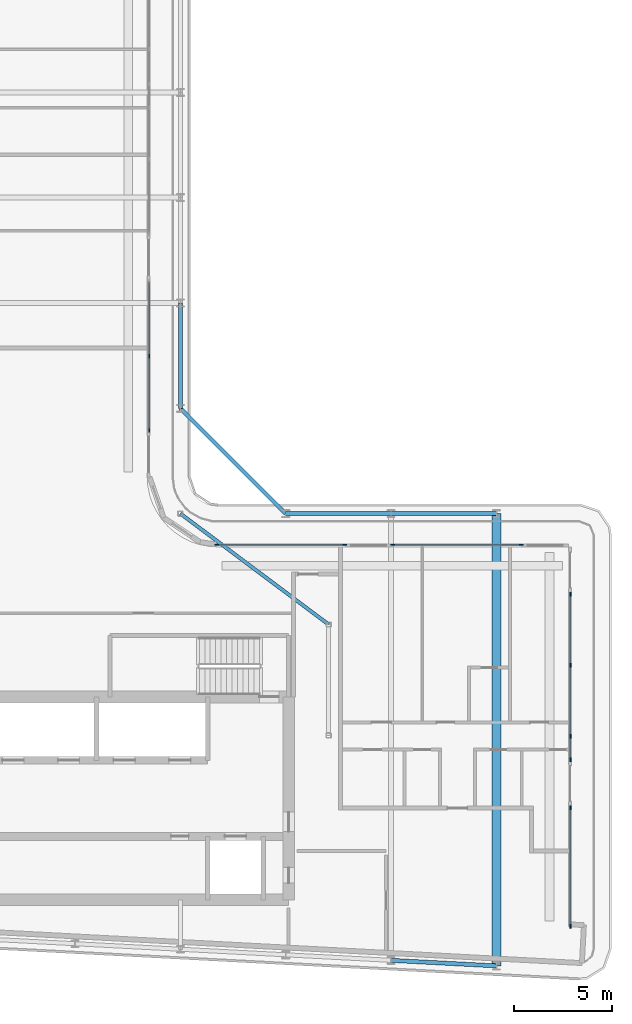
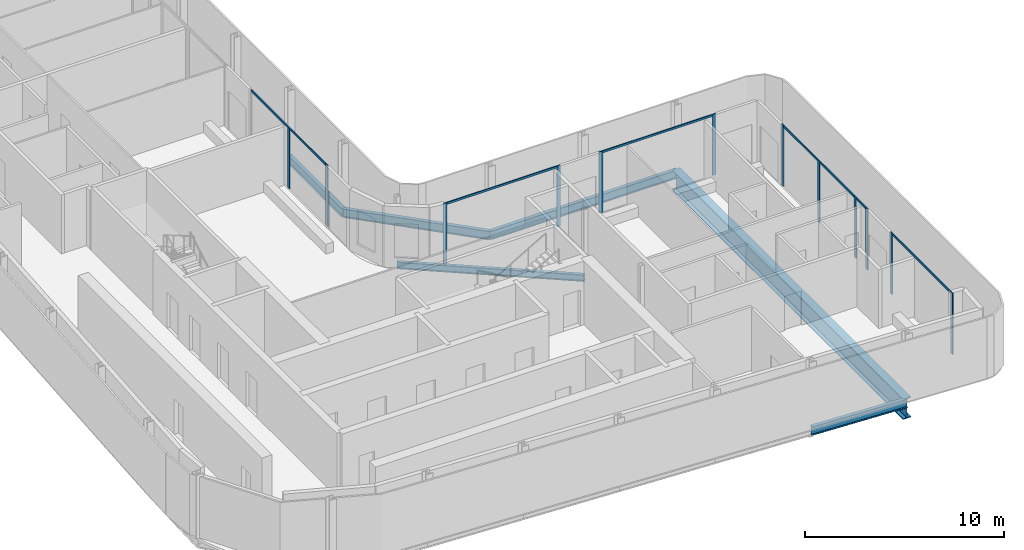
# One storey, part 6 of 21: 18 members, 7 beams, 6 elements without a shape of their own.
"""IFC4 building model written with IfcOpenShell, lengths in metres."""

from ifc_helpers import new_model, si_unit, direction, frame, origin, origin_2d, place, context, subcontext, project, spatial, rectangle, i_section, extrude, material, layer, layer_set, material_profile, profile_set, type_object, element, aggregate, save


model = new_model("IFC4")

# Units and contexts
model_context = context("Model", 3, precision=1e-05, world=origin(), true_north=direction((0.0, 1.0)))
body_context = subcontext(model_context, "Body", "Model", "MODEL_VIEW")
ifc_project = project(units=[si_unit("LENGTHUNIT", "METRE"), si_unit("AREAUNIT", "SQUARE_METRE"), si_unit("VOLUMEUNIT", "CUBIC_METRE"), si_unit("PLANEANGLEUNIT", "RADIAN"), si_unit("MASSUNIT", "GRAM", prefix="KILO")], contexts=[model_context])

# Site, building, storey
site_placement = place(None, origin())
site = spatial("IfcSite", under=ifc_project, at=site_placement, CompositionType="ELEMENT")
building_placement = place(site_placement, origin())
building = spatial("IfcBuilding", under=site, at=building_placement, Name="Kheshtan School and Residences Tower", CompositionType="ELEMENT")
storey_placement = place(building_placement, frame((0.0, 0.0, 294.199951171875)))
storey = spatial("IfcBuildingStorey", under=building, at=storey_placement, Name="L69", CompositionType="ELEMENT", Elevation=294.199951171875)

# Beams
ifc_material_1 = material(Name="Steel ASTM A992 Grade 50", Category="steel")
ifc_material_profile_1 = material_profile(ifc_material_1, i_section(OverallWidth=0.180908203125, OverallDepth=0.4169921875, WebThickness=0.010986328125, FlangeThickness=0.018310546875, FilletRadius=0.012451171875, at=origin_2d()), Name="W410x85")
ifc_profile_set_1 = profile_set([ifc_material_profile_1], Name="Steel ASTM A992 Grade 50")
beam_type_1 = type_object("IfcBeamType", Name="Beam FB3 W410x85 ASTM A992 Grade 50", PredefinedType="BEAM", material=ifc_profile_set_1)
beam_1_placement = place(storey_placement, frame((47.60009765625, 45.60009765625, -0.3583984375), z_axis=(0.800798828004, -0.598933416222, 0.0), x_axis=(0.598933416222, 0.800798828004, 0.0)))
element("IfcBeam", 1, at=beam_1_placement, inside=storey, type_object=beam_type_1, Name="Floor beam IC", PredefinedType="BEAM", context=body_context, shape_type="SweptSolid", body=[
    extrude(i_section(OverallWidth=0.180908203125, OverallDepth=0.4169921875, WebThickness=0.010986328125, FlangeThickness=0.018310546875, FilletRadius=0.012451171875, at=origin_2d()), origin(), (0.0, 0.0, 1.0), 9.490234375),
])
ifc_material_profile_2 = material_profile(ifc_material_1, i_section(OverallWidth=0.208984375, OverallDepth=0.532958984375, WebThickness=0.01025390625, FlangeThickness=0.015625, FilletRadius=0.013916015625, at=origin_2d()), Name="W530x92")
ifc_profile_set_2 = profile_set([ifc_material_profile_2], Name="Steel ASTM A992 Grade 50")
beam_type_2 = type_object("IfcBeamType", Name="Beam SP3 W530x92 ASTM A992 Grade 50", PredefinedType="BEAM", material=ifc_profile_set_2)
beam_2_placement = place(storey_placement, frame((47.60009765625, 56.39990234375, -0.41650390625), z_axis=(0.0, -1.0, 0.0), x_axis=(1.0, 0.0, 0.0)))
element("IfcBeam", 2, at=beam_2_placement, inside=storey, type_object=beam_type_2, Name="Spandrel beam C081-C079", PredefinedType="BEAM", context=body_context, shape_type="SweptSolid", body=[
    extrude(i_section(OverallWidth=0.208984375, OverallDepth=0.532958984375, WebThickness=0.01025390625, FlangeThickness=0.015625, FilletRadius=0.013916015625, at=origin_2d()), origin(), (0.0, 0.0, 1.0), 5.39990234375),
])
beam_3_placement = place(storey_placement, frame((47.60009765625, 51.0, -0.41650390625), z_axis=(0.707106781187, -0.707106781187, 0.0), x_axis=(0.707106781187, 0.707106781187, 0.0)))
element("IfcBeam", 3, at=beam_3_placement, inside=storey, type_object=beam_type_2, Name="Spandrel beam C079-C061", PredefinedType="BEAM", context=body_context, shape_type="SweptSolid", body=[
    extrude(i_section(OverallWidth=0.208984375, OverallDepth=0.532958984375, WebThickness=0.01025390625, FlangeThickness=0.015625, FilletRadius=0.013916015625, at=origin_2d()), origin(), (0.0, 0.0, 1.0), 7.63671875),
])
beam_4_placement = place(storey_placement, frame((53.0, 45.60009765625, -0.41650390625), z_axis=(1.0, 0.0, 0.0), x_axis=(0.0, 1.0, 0.0)))
element("IfcBeam", 4, at=beam_4_placement, inside=storey, type_object=beam_type_2, Name="Spandrel beam C061-C062", PredefinedType="BEAM", context=body_context, shape_type="SweptSolid", body=[
    extrude(i_section(OverallWidth=0.208984375, OverallDepth=0.532958984375, WebThickness=0.01025390625, FlangeThickness=0.015625, FilletRadius=0.013916015625, at=origin_2d()), origin(), (0.0, 0.0, 1.0), 5.39990234375),
])
beam_5_placement = place(storey_placement, frame((58.39990234375, 45.60009765625, -0.41650390625), z_axis=(1.0, 0.0, 0.0), x_axis=(0.0, 1.0, 0.0)))
element("IfcBeam", 5, at=beam_5_placement, inside=storey, type_object=beam_type_2, Name="Spandrel beam C062-C063", PredefinedType="BEAM", context=body_context, shape_type="SweptSolid", body=[
    extrude(i_section(OverallWidth=0.208984375, OverallDepth=0.532958984375, WebThickness=0.01025390625, FlangeThickness=0.015625, FilletRadius=0.013916015625, at=origin_2d()), origin(), (0.0, 0.0, 1.0), 5.400146484375),
])
beam_6_placement = place(storey_placement, frame((63.800048828125, 22.410888671875, -0.41650390625), z_axis=(-0.998618203458, 0.052551724256, 0.0), x_axis=(-0.052551724256, -0.998618203458, 0.0)))
element("IfcBeam", 6, at=beam_6_placement, inside=storey, type_object=beam_type_2, Name="Spandrel beam C016-C018", PredefinedType="BEAM", context=body_context, shape_type="SweptSolid", body=[
    extrude(i_section(OverallWidth=0.208984375, OverallDepth=0.532958984375, WebThickness=0.01025390625, FlangeThickness=0.015625, FilletRadius=0.013916015625, at=origin_2d()), origin(), (0.0, 0.0, 1.0), 5.40771484375),
])

# Curtain wall, members
ifc_material_2 = material(Name="Clear low-e glass in thermally broken aluminium frame", Category="aluminium")
ifc_layer = layer(ifc_material_2, 0.199951171875)
ifc_layer_set = layer_set([ifc_layer], Name="Curtain wall CW-L")
curtain_wall_type = type_object("IfcCurtainWallType", Name="Curtain wall CW-L", PredefinedType="NOTDEFINED", material=ifc_layer_set)
curtain_wall_1_placement = place(storey_placement, origin())
curtain_wall_1 = element("IfcCurtainWall", 7, at=curtain_wall_1_placement, inside=storey, type_object=curtain_wall_type, Name="Curtain wall CWL8", PredefinedType="NOTDEFINED")
ifc_material_3 = material(Name="Thermally broken aluminium, dark bronze anodised", Category="aluminium")
ifc_material_profile_3 = material_profile(ifc_material_3, rectangle(XDim=0.06005859375, YDim=0.199951171875, at=origin_2d()), Name="CW-L mullion 60x200")
ifc_profile_set_3 = profile_set([ifc_material_profile_3], Name="Thermally broken aluminium, dark bronze anodised")
member_type_1 = type_object("IfcMemberType", Name="CW-L mullion 60x200", PredefinedType="MULLION", material=ifc_profile_set_3)
member_1_placement = place(storey_placement, frame((46.0, 53.677001953125, 0.0), z_axis=(0.0, 0.0, 1.0), x_axis=(1.0, 0.0, 0.0)))
member_1 = element("IfcMember", 8, at=member_1_placement, type_object=member_type_1, Name="CWL8 mullion 2", PredefinedType="MULLION", context=body_context, shape_type="SweptSolid", body=[
    extrude(rectangle(XDim=0.06005859375, YDim=0.199951171875, at=origin_2d()), origin(), (0.0, 0.0, 1.0), 3.630126953125),
])
member_2_placement = place(storey_placement, frame((46.0, 49.860107421875, 0.0), z_axis=(0.0, 0.0, 1.0), x_axis=(1.0, 0.0, 0.0)))
member_2 = element("IfcMember", 9, at=member_2_placement, type_object=member_type_1, Name="CWL8 mullion 3", PredefinedType="MULLION", context=body_context, shape_type="SweptSolid", body=[
    extrude(rectangle(XDim=0.06005859375, YDim=0.199951171875, at=origin_2d()), origin(), (0.0, 0.0, 1.0), 3.75),
])

curtain_wall_2_placement = place(storey_placement, origin())
curtain_wall_2 = element("IfcCurtainWall", 10, at=curtain_wall_2_placement, inside=storey, type_object=curtain_wall_type, Name="Curtain wall CWL1233", PredefinedType="NOTDEFINED")
member_3_placement = place(storey_placement, frame((49.4599609375, 44.0, 0.0), z_axis=(0.0, 0.0, 1.0), x_axis=(0.0, 1.0, 0.0)))
member_3 = element("IfcMember", 11, at=member_3_placement, type_object=member_type_1, Name="CWL1233 mullion 1", PredefinedType="MULLION", context=body_context, shape_type="SweptSolid", body=[
    extrude(rectangle(XDim=0.06005859375, YDim=0.199951171875, at=origin_2d()), origin(), (0.0, 0.0, 1.0), 3.75),
])
member_4_placement = place(storey_placement, frame((56.034912109375, 44.0, 0.0), z_axis=(0.0, 0.0, 1.0), x_axis=(0.0, 1.0, 0.0)))
member_4 = element("IfcMember", 12, at=member_4_placement, type_object=member_type_1, Name="CWL1233 mullion 2", PredefinedType="MULLION", context=body_context, shape_type="SweptSolid", body=[
    extrude(rectangle(XDim=0.06005859375, YDim=0.199951171875, at=origin_2d()), origin(), (0.0, 0.0, 1.0), 3.75),
])

curtain_wall_3_placement = place(storey_placement, origin())
curtain_wall_3 = element("IfcCurtainWall", 13, at=curtain_wall_3_placement, inside=storey, type_object=curtain_wall_type, Name="Curtain wall CWL1233", PredefinedType="NOTDEFINED")
member_5_placement = place(storey_placement, frame((58.4951171875, 44.0, 0.0), z_axis=(0.0, 0.0, 1.0), x_axis=(0.0, 1.0, 0.0)))
member_5 = element("IfcMember", 14, at=member_5_placement, type_object=member_type_1, Name="CWL1233 mullion 1", PredefinedType="MULLION", context=body_context, shape_type="SweptSolid", body=[
    extrude(rectangle(XDim=0.06005859375, YDim=0.199951171875, at=origin_2d()), origin(), (0.0, 0.0, 1.0), 3.75),
])
member_6_placement = place(storey_placement, frame((65.070068359375, 44.0, 0.0), z_axis=(0.0, 0.0, 1.0), x_axis=(0.0, 1.0, 0.0)))
member_6 = element("IfcMember", 15, at=member_6_placement, type_object=member_type_1, Name="CWL1233 mullion 2", PredefinedType="MULLION", context=body_context, shape_type="SweptSolid", body=[
    extrude(rectangle(XDim=0.06005859375, YDim=0.199951171875, at=origin_2d()), origin(), (0.0, 0.0, 1.0), 3.75),
])

curtain_wall_4_placement = place(storey_placement, origin())
curtain_wall_4 = element("IfcCurtainWall", 16, at=curtain_wall_4_placement, inside=storey, type_object=curtain_wall_type, Name="Curtain wall CWL13e", PredefinedType="NOTDEFINED")
member_7_placement = place(storey_placement, frame((67.60009765625, 41.469970703125, 0.0), z_axis=(0.0, 0.0, 1.0), x_axis=(1.0, 0.0, 0.0)))
member_7 = element("IfcMember", 17, at=member_7_placement, type_object=member_type_1, Name="CWL13e mullion 1", PredefinedType="MULLION", context=body_context, shape_type="SweptSolid", body=[
    extrude(rectangle(XDim=0.06005859375, YDim=0.199951171875, at=origin_2d()), origin(), (0.0, 0.0, 1.0), 3.75),
])
member_8_placement = place(storey_placement, frame((67.60009765625, 37.829833984375, 0.0), z_axis=(0.0, 0.0, 1.0), x_axis=(1.0, 0.0, 0.0)))
member_8 = element("IfcMember", 18, at=member_8_placement, type_object=member_type_1, Name="CWL13e mullion 2", PredefinedType="MULLION", context=body_context, shape_type="SweptSolid", body=[
    extrude(rectangle(XDim=0.06005859375, YDim=0.199951171875, at=origin_2d()), origin(), (0.0, 0.0, 1.0), 3.630126953125),
])
member_9_placement = place(storey_placement, frame((67.60009765625, 34.189453125, 0.0), z_axis=(0.0, 0.0, 1.0), x_axis=(1.0, 0.0, 0.0)))
member_9 = element("IfcMember", 19, at=member_9_placement, type_object=member_type_1, Name="CWL13e mullion 3", PredefinedType="MULLION", context=body_context, shape_type="SweptSolid", body=[
    extrude(rectangle(XDim=0.06005859375, YDim=0.199951171875, at=origin_2d()), origin(), (0.0, 0.0, 1.0), 3.75),
])

# Curtain wall, member
curtain_wall_5_placement = place(storey_placement, origin())
curtain_wall_5 = element("IfcCurtainWall", 20, at=curtain_wall_5_placement, inside=storey, type_object=curtain_wall_type, Name="Curtain wall CWL13f", PredefinedType="NOTDEFINED")
member_10_placement = place(storey_placement, frame((67.60009765625, 32.989501953125, 0.0), z_axis=(0.0, 0.0, 1.0), x_axis=(1.0, 0.0, 0.0)))
member_10 = element("IfcMember", 21, at=member_10_placement, type_object=member_type_1, Name="CWL13f mullion 2", PredefinedType="MULLION", context=body_context, shape_type="SweptSolid", body=[
    extrude(rectangle(XDim=0.06005859375, YDim=0.199951171875, at=origin_2d()), origin(), (0.0, 0.0, 1.0), 3.75),
])

# Curtain wall, members
curtain_wall_6_placement = place(storey_placement, origin())
curtain_wall_6 = element("IfcCurtainWall", 22, at=curtain_wall_6_placement, inside=storey, type_object=curtain_wall_type, Name="Curtain wall CWL13g", PredefinedType="NOTDEFINED")
member_11_placement = place(storey_placement, frame((67.60009765625, 30.529541015625, 0.0), z_axis=(0.0, 0.0, 1.0), x_axis=(1.0, 0.0, 0.0)))
member_11 = element("IfcMember", 23, at=member_11_placement, type_object=member_type_1, Name="CWL13g mullion 1", PredefinedType="MULLION", context=body_context, shape_type="SweptSolid", body=[
    extrude(rectangle(XDim=0.06005859375, YDim=0.199951171875, at=origin_2d()), origin(), (0.0, 0.0, 1.0), 3.75),
])
member_12_placement = place(storey_placement, frame((67.60009765625, 24.448974609375, 0.0), z_axis=(0.0, 0.0, 1.0), x_axis=(1.0, 0.0, 0.0)))
member_12 = element("IfcMember", 24, at=member_12_placement, type_object=member_type_1, Name="CWL13g mullion 2", PredefinedType="MULLION", context=body_context, shape_type="SweptSolid", body=[
    extrude(rectangle(XDim=0.06005859375, YDim=0.199951171875, at=origin_2d()), origin(), (0.0, 0.0, 1.0), 3.75),
])

# Member
ifc_material_profile_4 = material_profile(ifc_material_3, rectangle(XDim=0.06005859375, YDim=0.1201171875, at=origin_2d()), Name="CW-L transom 60x120")
ifc_profile_set_4 = profile_set([ifc_material_profile_4], Name="Thermally broken aluminium, dark bronze anodised")
member_type_2 = type_object("IfcMemberType", Name="CW-L transom 60x120", PredefinedType="USERDEFINED", material=ifc_profile_set_4)
member_13_placement = place(storey_placement, frame((46.0, 57.464111328125, 3.68994140625), z_axis=(0.0, -1.0, 0.0), x_axis=(1.0, 0.0, 0.0)))
member_13 = element("IfcMember", 25, at=member_13_placement, type_object=member_type_2, Name="CWL8 transom 1", ObjectType="TRANSOM", PredefinedType="USERDEFINED", context=body_context, shape_type="SweptSolid", body=[
    extrude(rectangle(XDim=0.06005859375, YDim=0.1201171875, at=origin_2d()), origin(), (0.0, 0.0, 1.0), 7.57421875),
])

aggregate(curtain_wall_1, [member_1, member_2, member_13])

member_14_placement = place(storey_placement, frame((49.489990234375, 44.0, 3.68994140625), z_axis=(1.0, 0.0, 0.0), x_axis=(0.0, 1.0, 0.0)))
member_14 = element("IfcMember", 26, at=member_14_placement, type_object=member_type_2, Name="CWL1233 transom 1", ObjectType="TRANSOM", PredefinedType="USERDEFINED", context=body_context, shape_type="SweptSolid", body=[
    extrude(rectangle(XDim=0.06005859375, YDim=0.1201171875, at=origin_2d()), origin(), (0.0, 0.0, 1.0), 6.514892578125),
])

aggregate(curtain_wall_2, [member_3, member_4, member_14])

member_15_placement = place(storey_placement, frame((58.52490234375, 44.0, 3.68994140625), z_axis=(1.0, 0.0, 0.0), x_axis=(0.0, 1.0, 0.0)))
member_15 = element("IfcMember", 27, at=member_15_placement, type_object=member_type_2, Name="CWL1233 transom 1", ObjectType="TRANSOM", PredefinedType="USERDEFINED", context=body_context, shape_type="SweptSolid", body=[
    extrude(rectangle(XDim=0.06005859375, YDim=0.1201171875, at=origin_2d()), origin(), (0.0, 0.0, 1.0), 6.51513671875),
])

aggregate(curtain_wall_3, [member_5, member_6, member_15])

member_16_placement = place(storey_placement, frame((67.60009765625, 41.43994140625, 3.68994140625), z_axis=(0.0, -1.0, 0.0), x_axis=(1.0, 0.0, 0.0)))
member_16 = element("IfcMember", 28, at=member_16_placement, type_object=member_type_2, Name="CWL13e transom 1", ObjectType="TRANSOM", PredefinedType="USERDEFINED", context=body_context, shape_type="SweptSolid", body=[
    extrude(rectangle(XDim=0.06005859375, YDim=0.1201171875, at=origin_2d()), origin(), (0.0, 0.0, 1.0), 7.220458984375),
])

aggregate(curtain_wall_4, [member_7, member_8, member_9, member_16])

member_17_placement = place(storey_placement, frame((67.60009765625, 34.159423828125, 3.68994140625), z_axis=(0.0, -1.0, 0.0), x_axis=(1.0, 0.0, 0.0)))
member_17 = element("IfcMember", 29, at=member_17_placement, type_object=member_type_2, Name="CWL13f transom 1", ObjectType="TRANSOM", PredefinedType="USERDEFINED", context=body_context, shape_type="SweptSolid", body=[
    extrude(rectangle(XDim=0.06005859375, YDim=0.1201171875, at=origin_2d()), origin(), (0.0, 0.0, 1.0), 1.139892578125),
])

aggregate(curtain_wall_5, [member_10, member_17])

member_18_placement = place(storey_placement, frame((67.60009765625, 30.49951171875, 3.68994140625), z_axis=(0.0, -1.0, 0.0), x_axis=(1.0, 0.0, 0.0)))
member_18 = element("IfcMember", 30, at=member_18_placement, type_object=member_type_2, Name="CWL13g transom 1", ObjectType="TRANSOM", PredefinedType="USERDEFINED", context=body_context, shape_type="SweptSolid", body=[
    extrude(rectangle(XDim=0.06005859375, YDim=0.1201171875, at=origin_2d()), origin(), (0.0, 0.0, 1.0), 6.0205078125),
])

aggregate(curtain_wall_6, [member_11, member_12, member_18])

# Beam
ifc_material_profile_5 = material_profile(ifc_material_1, i_section(OverallWidth=0.449951171875, OverallDepth=1.25, WebThickness=0.02490234375, FlangeThickness=0.044921875, FilletRadius=0.03759765625, at=origin_2d()), Name="WWF1250x546")
ifc_profile_set_5 = profile_set([ifc_material_profile_5], Name="Steel ASTM A992 Grade 50")
beam_type_3 = type_object("IfcBeamType", Name="Transfer girder TG4 WWF1250x546 ASTM A992 Grade 50", PredefinedType="BEAM", material=ifc_profile_set_5)
beam_7_placement = place(storey_placement, frame((63.800048828125, 45.60009765625, -0.77490234375), z_axis=(0.0, -1.0, 0.0), x_axis=(1.0, 0.0, 0.0)))
element("IfcBeam", 31, at=beam_7_placement, inside=storey, type_object=beam_type_3, Name="Transfer girder C063-C016", PredefinedType="BEAM", context=body_context, shape_type="SweptSolid", body=[
    extrude(i_section(OverallWidth=0.449951171875, OverallDepth=1.25, WebThickness=0.02490234375, FlangeThickness=0.044921875, FilletRadius=0.03759765625, at=origin_2d()), origin(), (0.0, 0.0, 1.0), 23.189208984375),
])

save(model, "model.ifc")
